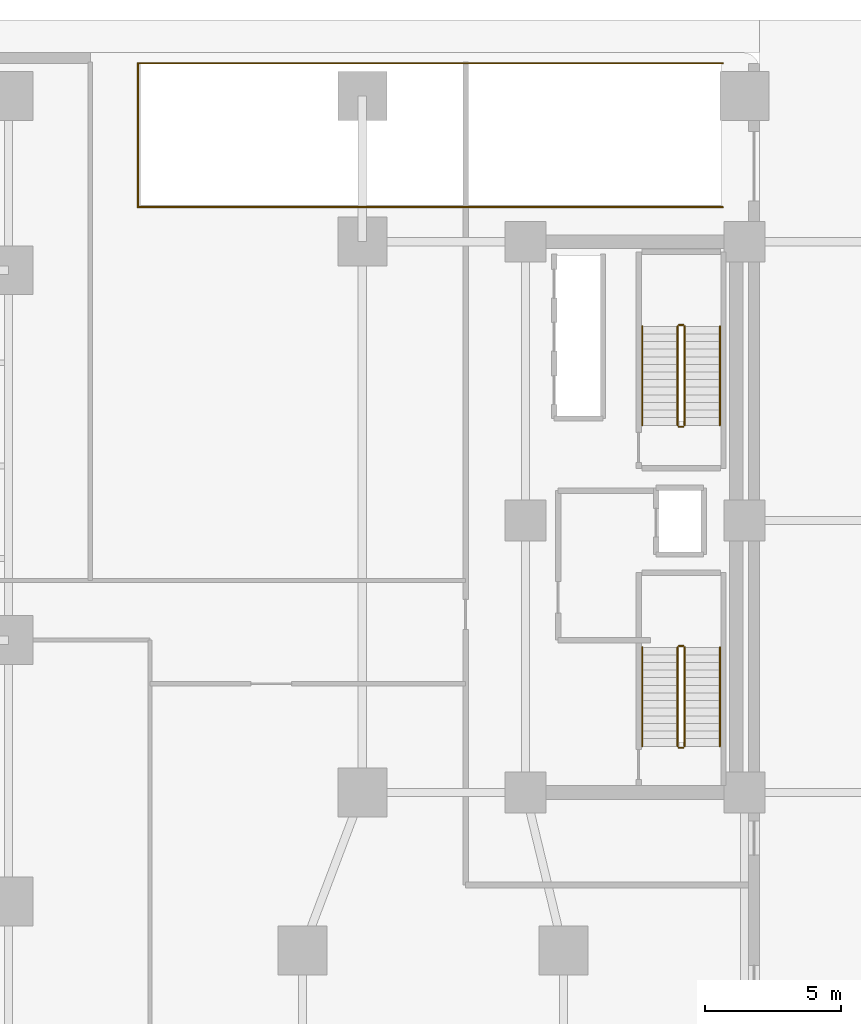
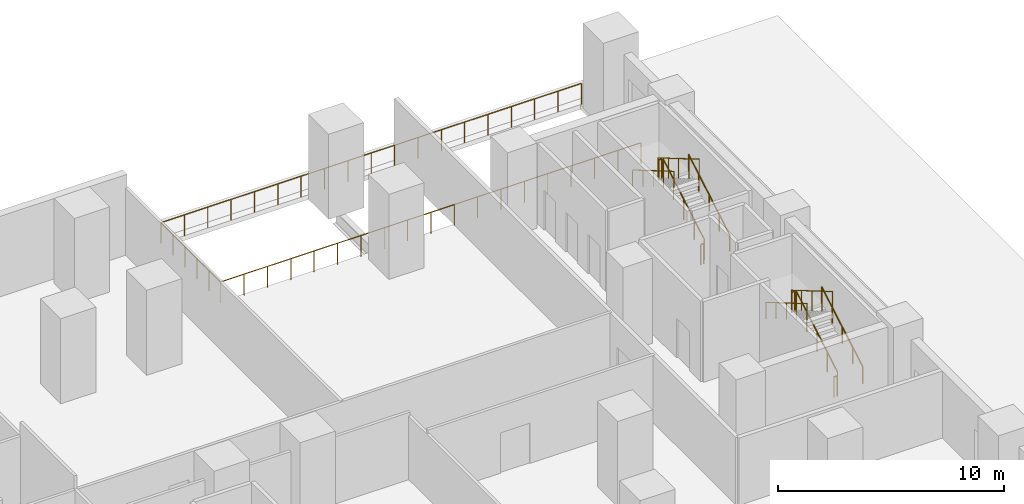
# One storey, part 13 of 14: 15 railings.
"""IFC4 building model written with IfcOpenShell, lengths in metres."""

from ifc_helpers import new_model, si_unit, direction, frame, origin, origin_2d, place, context, subcontext, project, spatial, circle, extrude, material, layer, layer_set, type_object, element, save


model = new_model("IFC4")

# Units and contexts
model_context = context("Model", 3, precision=1e-05, world=origin(), true_north=direction((0.0, 1.0)))
body_context = subcontext(model_context, "Body", "Model", "MODEL_VIEW")
ifc_project = project(units=[si_unit("LENGTHUNIT", "METRE"), si_unit("AREAUNIT", "SQUARE_METRE"), si_unit("VOLUMEUNIT", "CUBIC_METRE"), si_unit("PLANEANGLEUNIT", "RADIAN"), si_unit("MASSUNIT", "GRAM", prefix="KILO")], contexts=[model_context])

# Site, building, storey
site_placement = place(None, origin())
site = spatial("IfcSite", under=ifc_project, at=site_placement, CompositionType="ELEMENT")
building_placement = place(site_placement, origin())
building = spatial("IfcBuilding", under=site, at=building_placement, Name="Kuzgunbayir Cultural Tower", CompositionType="ELEMENT")
storey_placement = place(building_placement, origin())
storey = spatial("IfcBuildingStorey", under=building, at=storey_placement, Name="L00", CompositionType="ELEMENT", Elevation=0.0)

# Railings
ifc_material_1 = material(Name="Brushed Stainless Steel", Category="steel")
ifc_layer_1 = layer(ifc_material_1, 0.050048828125)
ifc_layer_set_1 = layer_set([ifc_layer_1], Name="Brushed Stainless Steel")
railing_type_1 = type_object("IfcRailingType", Name="RLG-STAIR-HANDRAIL", PredefinedType="HANDRAIL", material=ifc_layer_set_1)
railing_1_placement = place(storey_placement, frame((71.75, 23.699951171875, 0.164306640625)))
element("IfcRailing", 1, at=railing_1_placement, inside=storey, type_object=railing_type_1, Name="L00 ST-3 stair handrail 1", PredefinedType="HANDRAIL", context=body_context, shape_type="SweptSolid", body=[
    extrude(circle(Radius=0.02392578125, at=origin_2d()), frame((0.0, 0.0, 0.8759765625), z_axis=(0.0, 0.862504707072, 0.506049039401), x_axis=(-1.0, 0.0, 0.0)), (0.0, 0.0, 1.0), 4.220458984375),
    extrude(circle(Radius=0.02099609375, at=origin_2d()), origin(), (0.0, 0.0, 1.0), 0.851806640625),
    extrude(circle(Radius=0.02099609375, at=origin_2d()), frame((0.0, 0.91015625, 0.533935546875)), (0.0, 0.0, 1.0), 0.851806640625),
    extrude(circle(Radius=0.02099609375, at=origin_2d()), frame((0.0, 1.820068359375, 1.06787109375)), (0.0, 0.0, 1.0), 0.851806640625),
    extrude(circle(Radius=0.02099609375, at=origin_2d()), frame((0.0, 2.72998046875, 1.601806640625)), (0.0, 0.0, 1.0), 0.851806640625),
    extrude(circle(Radius=0.02099609375, at=origin_2d()), frame((0.0, 3.64013671875, 2.1357421875)), (0.0, 0.0, 1.0), 0.851806640625),
])
railing_2_placement = place(storey_placement, frame((68.889892578125, 27.340087890625, 2.46435546875)))
element("IfcRailing", 2, at=railing_2_placement, inside=storey, type_object=railing_type_1, Name="L00 ST-3 stair handrail 2", PredefinedType="HANDRAIL", context=body_context, shape_type="SweptSolid", body=[
    extrude(circle(Radius=0.02392578125, at=origin_2d()), frame((0.0, 0.0, 0.8759765625), z_axis=(0.0, -0.862504707072, 0.506049039401), x_axis=(1.0, 0.0, 0.0)), (0.0, 0.0, 1.0), 4.220458984375),
    extrude(circle(Radius=0.02099609375, at=origin_2d()), origin(), (0.0, 0.0, 1.0), 0.851806640625),
    extrude(circle(Radius=0.02099609375, at=origin_2d()), frame((0.0, -0.91015625, 0.533935546875)), (0.0, 0.0, 1.0), 0.851806640625),
    extrude(circle(Radius=0.02099609375, at=origin_2d()), frame((0.0, -1.820068359375, 1.06787109375)), (0.0, 0.0, 1.0), 0.851806640625),
    extrude(circle(Radius=0.02099609375, at=origin_2d()), frame((0.0, -2.72998046875, 1.601806640625)), (0.0, 0.0, 1.0), 0.851806640625),
    extrude(circle(Radius=0.02099609375, at=origin_2d()), frame((0.0, -3.64013671875, 2.1357421875)), (0.0, 0.0, 1.0), 0.851806640625),
])
railing_3_placement = place(storey_placement, frame((71.75, 35.5, 0.164306640625)))
element("IfcRailing", 3, at=railing_3_placement, inside=storey, type_object=railing_type_1, Name="L00 ST-4 stair handrail 1", PredefinedType="HANDRAIL", context=body_context, shape_type="SweptSolid", body=[
    extrude(circle(Radius=0.02392578125, at=origin_2d()), frame((0.0, 0.0, 0.8759765625), z_axis=(0.0, 0.862489892076, 0.506074289079), x_axis=(-1.0, 0.0, 0.0)), (0.0, 0.0, 1.0), 4.22021484375),
    extrude(circle(Radius=0.02099609375, at=origin_2d()), origin(), (0.0, 0.0, 1.0), 0.851806640625),
    extrude(circle(Radius=0.02099609375, at=origin_2d()), frame((0.0, 0.909912109375, 0.533935546875)), (0.0, 0.0, 1.0), 0.851806640625),
    extrude(circle(Radius=0.02099609375, at=origin_2d()), frame((0.0, 1.81982421875, 1.06787109375)), (0.0, 0.0, 1.0), 0.851806640625),
    extrude(circle(Radius=0.02099609375, at=origin_2d()), frame((0.0, 2.72998046875, 1.601806640625)), (0.0, 0.0, 1.0), 0.851806640625),
    extrude(circle(Radius=0.02099609375, at=origin_2d()), frame((0.0, 3.639892578125, 2.1357421875)), (0.0, 0.0, 1.0), 0.851806640625),
])
railing_4_placement = place(storey_placement, frame((68.889892578125, 39.139892578125, 2.46435546875)))
element("IfcRailing", 4, at=railing_4_placement, inside=storey, type_object=railing_type_1, Name="L00 ST-4 stair handrail 2", PredefinedType="HANDRAIL", context=body_context, shape_type="SweptSolid", body=[
    extrude(circle(Radius=0.02392578125, at=origin_2d()), frame((0.0, 0.0, 0.8759765625), z_axis=(0.0, -0.862489892076, 0.506074289079), x_axis=(1.0, 0.0, 0.0)), (0.0, 0.0, 1.0), 4.22021484375),
    extrude(circle(Radius=0.02099609375, at=origin_2d()), origin(), (0.0, 0.0, 1.0), 0.851806640625),
    extrude(circle(Radius=0.02099609375, at=origin_2d()), frame((0.0, -0.909912109375, 0.533935546875)), (0.0, 0.0, 1.0), 0.851806640625),
    extrude(circle(Radius=0.02099609375, at=origin_2d()), frame((0.0, -1.81982421875, 1.06787109375)), (0.0, 0.0, 1.0), 0.851806640625),
    extrude(circle(Radius=0.02099609375, at=origin_2d()), frame((0.0, -2.72998046875, 1.601806640625)), (0.0, 0.0, 1.0), 0.851806640625),
    extrude(circle(Radius=0.02099609375, at=origin_2d()), frame((0.0, -3.639892578125, 2.1357421875)), (0.0, 0.0, 1.0), 0.851806640625),
])
ifc_material_2 = material(Name="Painted Steel Balustrade", Category="steel")
ifc_layer_2 = layer(ifc_material_2, 0.06005859375)
ifc_layer_set_2 = layer_set([ifc_layer_2], Name="Painted Steel Balustrade")
railing_type_2 = type_object("IfcRailingType", Name="RLG-WELL-GUARD", PredefinedType="GUARDRAIL", material=ifc_layer_set_2)
railing_5_placement = place(storey_placement, frame((70.449951171875, 23.699951171875, 0.164306640625)))
element("IfcRailing", 5, at=railing_5_placement, inside=storey, type_object=railing_type_2, Name="L00 ST-3 stair guard 1", PredefinedType="GUARDRAIL", context=body_context, shape_type="SweptSolid", body=[
    extrude(circle(Radius=0.02392578125, at=origin_2d()), frame((0.0, 0.0, 1.076171875), z_axis=(0.0, 0.862504707072, 0.506049039401), x_axis=(-1.0, 0.0, 0.0)), (0.0, 0.0, 1.0), 4.220458984375),
    extrude(circle(Radius=0.02099609375, at=origin_2d()), origin(), (0.0, 0.0, 1.0), 1.052001953125),
    extrude(circle(Radius=0.02099609375, at=origin_2d()), frame((0.0, 0.91015625, 0.533935546875)), (0.0, 0.0, 1.0), 1.052001953125),
    extrude(circle(Radius=0.02099609375, at=origin_2d()), frame((0.0, 1.820068359375, 1.06787109375)), (0.0, 0.0, 1.0), 1.052001953125),
    extrude(circle(Radius=0.02099609375, at=origin_2d()), frame((0.0, 2.72998046875, 1.601806640625)), (0.0, 0.0, 1.0), 1.052001953125),
    extrude(circle(Radius=0.02099609375, at=origin_2d()), frame((0.0, 3.64013671875, 2.1357421875)), (0.0, 0.0, 1.0), 1.052001953125),
])
railing_6_placement = place(storey_placement, frame((70.39990234375, 27.389892578125, 2.300048828125)))
element("IfcRailing", 6, at=railing_6_placement, inside=storey, type_object=railing_type_2, Name="L00 ST-3 stair guard 2", PredefinedType="GUARDRAIL", context=body_context, shape_type="SweptSolid", body=[
    extrude(circle(Radius=0.02392578125, at=origin_2d()), frame((0.0, 0.0, 1.076171875), z_axis=(-1.0, 0.0, 0.0), x_axis=(0.0, -1.0, 0.0)), (0.0, 0.0, 1.0), 0.159912109375),
    extrude(circle(Radius=0.02099609375, at=origin_2d()), origin(), (0.0, 0.0, 1.0), 1.052001953125),
    extrude(circle(Radius=0.02099609375, at=origin_2d()), frame((-0.159912109375, 0.0, 0.0)), (0.0, 0.0, 1.0), 1.052001953125),
])
railing_7_placement = place(storey_placement, frame((70.18994140625, 27.340087890625, 2.46435546875)))
element("IfcRailing", 7, at=railing_7_placement, inside=storey, type_object=railing_type_2, Name="L00 ST-3 stair guard 3", PredefinedType="GUARDRAIL", context=body_context, shape_type="SweptSolid", body=[
    extrude(circle(Radius=0.02392578125, at=origin_2d()), frame((0.0, 0.0, 1.076171875), z_axis=(0.0, -0.862504707072, 0.506049039401), x_axis=(1.0, 0.0, 0.0)), (0.0, 0.0, 1.0), 4.220458984375),
    extrude(circle(Radius=0.02099609375, at=origin_2d()), origin(), (0.0, 0.0, 1.0), 1.052001953125),
    extrude(circle(Radius=0.02099609375, at=origin_2d()), frame((0.0, -0.91015625, 0.533935546875)), (0.0, 0.0, 1.0), 1.052001953125),
    extrude(circle(Radius=0.02099609375, at=origin_2d()), frame((0.0, -1.820068359375, 1.06787109375)), (0.0, 0.0, 1.0), 1.052001953125),
    extrude(circle(Radius=0.02099609375, at=origin_2d()), frame((0.0, -2.72998046875, 1.601806640625)), (0.0, 0.0, 1.0), 1.052001953125),
    extrude(circle(Radius=0.02099609375, at=origin_2d()), frame((0.0, -3.64013671875, 2.1357421875)), (0.0, 0.0, 1.0), 1.052001953125),
])
railing_8_placement = place(storey_placement, frame((70.39990234375, 23.64990234375, 0.0)))
element("IfcRailing", 8, at=railing_8_placement, inside=storey, type_object=railing_type_2, Name="L00 ST-3 stair guard 4", PredefinedType="GUARDRAIL", context=body_context, shape_type="SweptSolid", body=[
    extrude(circle(Radius=0.02392578125, at=origin_2d()), frame((0.0, 0.0, 1.076171875), z_axis=(-1.0, 0.0, 0.0), x_axis=(0.0, -1.0, 0.0)), (0.0, 0.0, 1.0), 0.159912109375),
    extrude(circle(Radius=0.02099609375, at=origin_2d()), origin(), (0.0, 0.0, 1.0), 1.052001953125),
    extrude(circle(Radius=0.02099609375, at=origin_2d()), frame((-0.159912109375, 0.0, 0.0)), (0.0, 0.0, 1.0), 1.052001953125),
])
railing_9_placement = place(storey_placement, frame((70.449951171875, 35.5, 0.164306640625)))
element("IfcRailing", 9, at=railing_9_placement, inside=storey, type_object=railing_type_2, Name="L00 ST-4 stair guard 1", PredefinedType="GUARDRAIL", context=body_context, shape_type="SweptSolid", body=[
    extrude(circle(Radius=0.02392578125, at=origin_2d()), frame((0.0, 0.0, 1.076171875), z_axis=(0.0, 0.862489892076, 0.506074289079), x_axis=(-1.0, 0.0, 0.0)), (0.0, 0.0, 1.0), 4.22021484375),
    extrude(circle(Radius=0.02099609375, at=origin_2d()), origin(), (0.0, 0.0, 1.0), 1.052001953125),
    extrude(circle(Radius=0.02099609375, at=origin_2d()), frame((0.0, 0.909912109375, 0.533935546875)), (0.0, 0.0, 1.0), 1.052001953125),
    extrude(circle(Radius=0.02099609375, at=origin_2d()), frame((0.0, 1.81982421875, 1.06787109375)), (0.0, 0.0, 1.0), 1.052001953125),
    extrude(circle(Radius=0.02099609375, at=origin_2d()), frame((0.0, 2.72998046875, 1.601806640625)), (0.0, 0.0, 1.0), 1.052001953125),
    extrude(circle(Radius=0.02099609375, at=origin_2d()), frame((0.0, 3.639892578125, 2.1357421875)), (0.0, 0.0, 1.0), 1.052001953125),
])
railing_10_placement = place(storey_placement, frame((70.39990234375, 39.18994140625, 2.300048828125)))
element("IfcRailing", 10, at=railing_10_placement, inside=storey, type_object=railing_type_2, Name="L00 ST-4 stair guard 2", PredefinedType="GUARDRAIL", context=body_context, shape_type="SweptSolid", body=[
    extrude(circle(Radius=0.02392578125, at=origin_2d()), frame((0.0, 0.0, 1.076171875), z_axis=(-1.0, 0.0, 0.0), x_axis=(0.0, -1.0, 0.0)), (0.0, 0.0, 1.0), 0.159912109375),
    extrude(circle(Radius=0.02099609375, at=origin_2d()), origin(), (0.0, 0.0, 1.0), 1.052001953125),
    extrude(circle(Radius=0.02099609375, at=origin_2d()), frame((-0.159912109375, 0.0, 0.0)), (0.0, 0.0, 1.0), 1.052001953125),
])
railing_11_placement = place(storey_placement, frame((70.18994140625, 39.139892578125, 2.46435546875)))
element("IfcRailing", 11, at=railing_11_placement, inside=storey, type_object=railing_type_2, Name="L00 ST-4 stair guard 3", PredefinedType="GUARDRAIL", context=body_context, shape_type="SweptSolid", body=[
    extrude(circle(Radius=0.02392578125, at=origin_2d()), frame((0.0, 0.0, 1.076171875), z_axis=(0.0, -0.862489892076, 0.506074289079), x_axis=(1.0, 0.0, 0.0)), (0.0, 0.0, 1.0), 4.22021484375),
    extrude(circle(Radius=0.02099609375, at=origin_2d()), origin(), (0.0, 0.0, 1.0), 1.052001953125),
    extrude(circle(Radius=0.02099609375, at=origin_2d()), frame((0.0, -0.909912109375, 0.533935546875)), (0.0, 0.0, 1.0), 1.052001953125),
    extrude(circle(Radius=0.02099609375, at=origin_2d()), frame((0.0, -1.81982421875, 1.06787109375)), (0.0, 0.0, 1.0), 1.052001953125),
    extrude(circle(Radius=0.02099609375, at=origin_2d()), frame((0.0, -2.72998046875, 1.601806640625)), (0.0, 0.0, 1.0), 1.052001953125),
    extrude(circle(Radius=0.02099609375, at=origin_2d()), frame((0.0, -3.639892578125, 2.1357421875)), (0.0, 0.0, 1.0), 1.052001953125),
])
railing_12_placement = place(storey_placement, frame((70.39990234375, 35.449951171875, 0.0)))
element("IfcRailing", 12, at=railing_12_placement, inside=storey, type_object=railing_type_2, Name="L00 ST-4 stair guard 4", PredefinedType="GUARDRAIL", context=body_context, shape_type="SweptSolid", body=[
    extrude(circle(Radius=0.02392578125, at=origin_2d()), frame((0.0, 0.0, 1.076171875), z_axis=(-1.0, 0.0, 0.0), x_axis=(0.0, -1.0, 0.0)), (0.0, 0.0, 1.0), 0.159912109375),
    extrude(circle(Radius=0.02099609375, at=origin_2d()), origin(), (0.0, 0.0, 1.0), 1.052001953125),
    extrude(circle(Radius=0.02099609375, at=origin_2d()), frame((-0.159912109375, 0.0, 0.0)), (0.0, 0.0, 1.0), 1.052001953125),
])
railing_13_placement = place(storey_placement, frame((50.35009765625, 43.52001953125, 0.0)))
element("IfcRailing", 13, at=railing_13_placement, inside=storey, type_object=railing_type_2, Name="L00 Ramp VR-1 South Guard", PredefinedType="GUARDRAIL", context=body_context, shape_type="SweptSolid", body=[
    extrude(circle(Radius=0.02392578125, at=origin_2d()), frame((0.0, 0.0, 1.1259765625), z_axis=(1.0, 0.0, 0.0), x_axis=(0.0, 1.0, 0.0)), (0.0, 0.0, 1.0), 21.5),
    extrude(circle(Radius=0.02099609375, at=origin_2d()), origin(), (0.0, 0.0, 1.0), 1.101806640625),
    extrude(circle(Radius=0.02099609375, at=origin_2d()), frame((1.1943359375, 0.0, 0.0)), (0.0, 0.0, 1.0), 1.101806640625),
    extrude(circle(Radius=0.02099609375, at=origin_2d()), frame((2.388916015625, 0.0, 0.0)), (0.0, 0.0, 1.0), 1.101806640625),
    extrude(circle(Radius=0.02099609375, at=origin_2d()), frame((3.583251953125, 0.0, 0.0)), (0.0, 0.0, 1.0), 1.101806640625),
    extrude(circle(Radius=0.02099609375, at=origin_2d()), frame((4.77783203125, 0.0, 0.0)), (0.0, 0.0, 1.0), 1.101806640625),
    extrude(circle(Radius=0.02099609375, at=origin_2d()), frame((5.97216796875, 0.0, 0.0)), (0.0, 0.0, 1.0), 1.101806640625),
    extrude(circle(Radius=0.02099609375, at=origin_2d()), frame((7.166748046875, 0.0, 0.0)), (0.0, 0.0, 1.0), 1.101806640625),
    extrude(circle(Radius=0.02099609375, at=origin_2d()), frame((8.361083984375, 0.0, 0.0)), (0.0, 0.0, 1.0), 1.101806640625),
    extrude(circle(Radius=0.02099609375, at=origin_2d()), frame((9.5556640625, 0.0, 0.0)), (0.0, 0.0, 1.0), 1.101806640625),
    extrude(circle(Radius=0.02099609375, at=origin_2d()), frame((10.75, 0.0, 0.0)), (0.0, 0.0, 1.0), 1.101806640625),
    extrude(circle(Radius=0.02099609375, at=origin_2d()), frame((11.9443359375, 0.0, 0.0)), (0.0, 0.0, 1.0), 1.101806640625),
    extrude(circle(Radius=0.02099609375, at=origin_2d()), frame((13.138916015625, 0.0, 0.0)), (0.0, 0.0, 1.0), 1.101806640625),
    extrude(circle(Radius=0.02099609375, at=origin_2d()), frame((14.333251953125, 0.0, 0.0)), (0.0, 0.0, 1.0), 1.101806640625),
    extrude(circle(Radius=0.02099609375, at=origin_2d()), frame((15.52783203125, 0.0, 0.0)), (0.0, 0.0, 1.0), 1.101806640625),
    extrude(circle(Radius=0.02099609375, at=origin_2d()), frame((16.72216796875, 0.0, 0.0)), (0.0, 0.0, 1.0), 1.101806640625),
    extrude(circle(Radius=0.02099609375, at=origin_2d()), frame((17.916748046875, 0.0, 0.0)), (0.0, 0.0, 1.0), 1.101806640625),
    extrude(circle(Radius=0.02099609375, at=origin_2d()), frame((19.111083984375, 0.0, 0.0)), (0.0, 0.0, 1.0), 1.101806640625),
    extrude(circle(Radius=0.02099609375, at=origin_2d()), frame((20.3056640625, 0.0, 0.0)), (0.0, 0.0, 1.0), 1.101806640625),
    extrude(circle(Radius=0.02099609375, at=origin_2d()), frame((21.5, 0.0, 0.0)), (0.0, 0.0, 1.0), 1.101806640625),
])
railing_14_placement = place(storey_placement, frame((50.35009765625, 48.81005859375, 0.0)))
element("IfcRailing", 14, at=railing_14_placement, inside=storey, type_object=railing_type_2, Name="L00 Ramp VR-1 North Guard", PredefinedType="GUARDRAIL", context=body_context, shape_type="SweptSolid", body=[
    extrude(circle(Radius=0.02392578125, at=origin_2d()), frame((0.0, 0.0, 1.1259765625), z_axis=(1.0, 0.0, 0.0), x_axis=(0.0, 1.0, 0.0)), (0.0, 0.0, 1.0), 21.5),
    extrude(circle(Radius=0.02099609375, at=origin_2d()), origin(), (0.0, 0.0, 1.0), 1.101806640625),
    extrude(circle(Radius=0.02099609375, at=origin_2d()), frame((1.1943359375, 0.0, 0.0)), (0.0, 0.0, 1.0), 1.101806640625),
    extrude(circle(Radius=0.02099609375, at=origin_2d()), frame((2.388916015625, 0.0, 0.0)), (0.0, 0.0, 1.0), 1.101806640625),
    extrude(circle(Radius=0.02099609375, at=origin_2d()), frame((3.583251953125, 0.0, 0.0)), (0.0, 0.0, 1.0), 1.101806640625),
    extrude(circle(Radius=0.02099609375, at=origin_2d()), frame((4.77783203125, 0.0, 0.0)), (0.0, 0.0, 1.0), 1.101806640625),
    extrude(circle(Radius=0.02099609375, at=origin_2d()), frame((5.97216796875, 0.0, 0.0)), (0.0, 0.0, 1.0), 1.101806640625),
    extrude(circle(Radius=0.02099609375, at=origin_2d()), frame((7.166748046875, 0.0, 0.0)), (0.0, 0.0, 1.0), 1.101806640625),
    extrude(circle(Radius=0.02099609375, at=origin_2d()), frame((8.361083984375, 0.0, 0.0)), (0.0, 0.0, 1.0), 1.101806640625),
    extrude(circle(Radius=0.02099609375, at=origin_2d()), frame((9.5556640625, 0.0, 0.0)), (0.0, 0.0, 1.0), 1.101806640625),
    extrude(circle(Radius=0.02099609375, at=origin_2d()), frame((10.75, 0.0, 0.0)), (0.0, 0.0, 1.0), 1.101806640625),
    extrude(circle(Radius=0.02099609375, at=origin_2d()), frame((11.9443359375, 0.0, 0.0)), (0.0, 0.0, 1.0), 1.101806640625),
    extrude(circle(Radius=0.02099609375, at=origin_2d()), frame((13.138916015625, 0.0, 0.0)), (0.0, 0.0, 1.0), 1.101806640625),
    extrude(circle(Radius=0.02099609375, at=origin_2d()), frame((14.333251953125, 0.0, 0.0)), (0.0, 0.0, 1.0), 1.101806640625),
    extrude(circle(Radius=0.02099609375, at=origin_2d()), frame((15.52783203125, 0.0, 0.0)), (0.0, 0.0, 1.0), 1.101806640625),
    extrude(circle(Radius=0.02099609375, at=origin_2d()), frame((16.72216796875, 0.0, 0.0)), (0.0, 0.0, 1.0), 1.101806640625),
    extrude(circle(Radius=0.02099609375, at=origin_2d()), frame((17.916748046875, 0.0, 0.0)), (0.0, 0.0, 1.0), 1.101806640625),
    extrude(circle(Radius=0.02099609375, at=origin_2d()), frame((19.111083984375, 0.0, 0.0)), (0.0, 0.0, 1.0), 1.101806640625),
    extrude(circle(Radius=0.02099609375, at=origin_2d()), frame((20.3056640625, 0.0, 0.0)), (0.0, 0.0, 1.0), 1.101806640625),
    extrude(circle(Radius=0.02099609375, at=origin_2d()), frame((21.5, 0.0, 0.0)), (0.0, 0.0, 1.0), 1.101806640625),
])
railing_15_placement = place(storey_placement, frame((50.35009765625, 43.52001953125, 0.0)))
element("IfcRailing", 15, at=railing_15_placement, inside=storey, type_object=railing_type_2, Name="L00 Ramp VR-1 West Guard", PredefinedType="GUARDRAIL", context=body_context, shape_type="SweptSolid", body=[
    extrude(circle(Radius=0.02392578125, at=origin_2d()), frame((0.0, 0.0, 1.1259765625), z_axis=(0.0, 1.0, 0.0), x_axis=(-1.0, 0.0, 0.0)), (0.0, 0.0, 1.0), 5.2900390625),
    extrude(circle(Radius=0.02099609375, at=origin_2d()), origin(), (0.0, 0.0, 1.0), 1.101806640625),
    extrude(circle(Radius=0.02099609375, at=origin_2d()), frame((0.0, 1.05810546875, 0.0)), (0.0, 0.0, 1.0), 1.101806640625),
    extrude(circle(Radius=0.02099609375, at=origin_2d()), frame((0.0, 2.115966796875, 0.0)), (0.0, 0.0, 1.0), 1.101806640625),
    extrude(circle(Radius=0.02099609375, at=origin_2d()), frame((0.0, 3.174072265625, 0.0)), (0.0, 0.0, 1.0), 1.101806640625),
    extrude(circle(Radius=0.02099609375, at=origin_2d()), frame((0.0, 4.23193359375, 0.0)), (0.0, 0.0, 1.0), 1.101806640625),
    extrude(circle(Radius=0.02099609375, at=origin_2d()), frame((0.0, 5.2900390625, 0.0)), (0.0, 0.0, 1.0), 1.101806640625),
])

save(model, "model.ifc")
